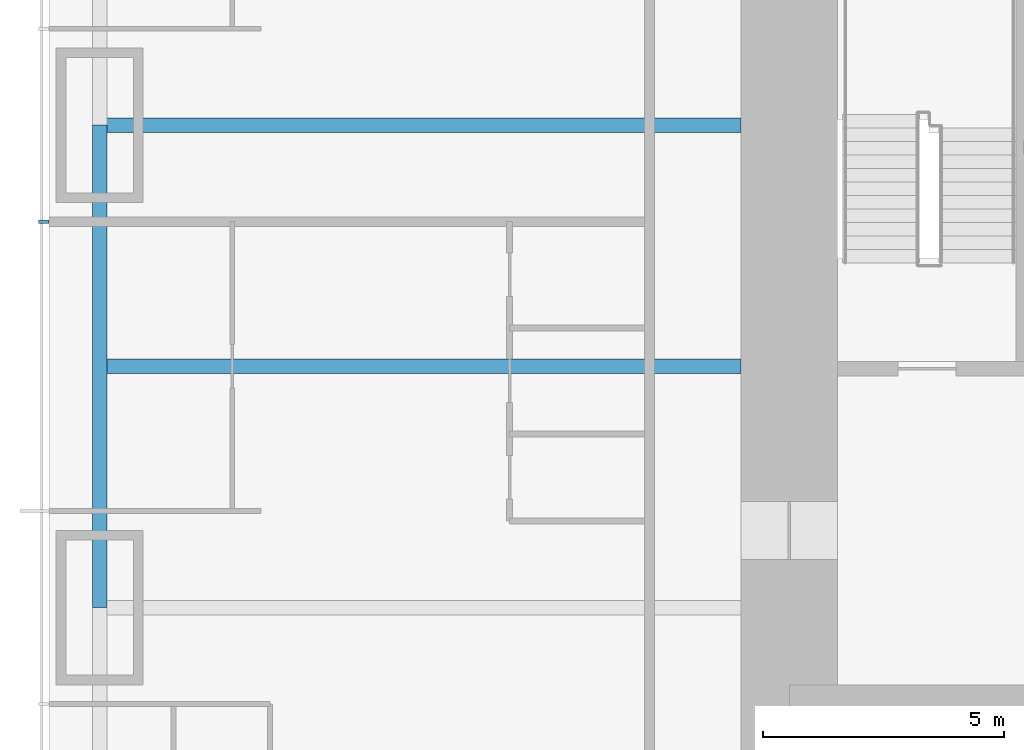
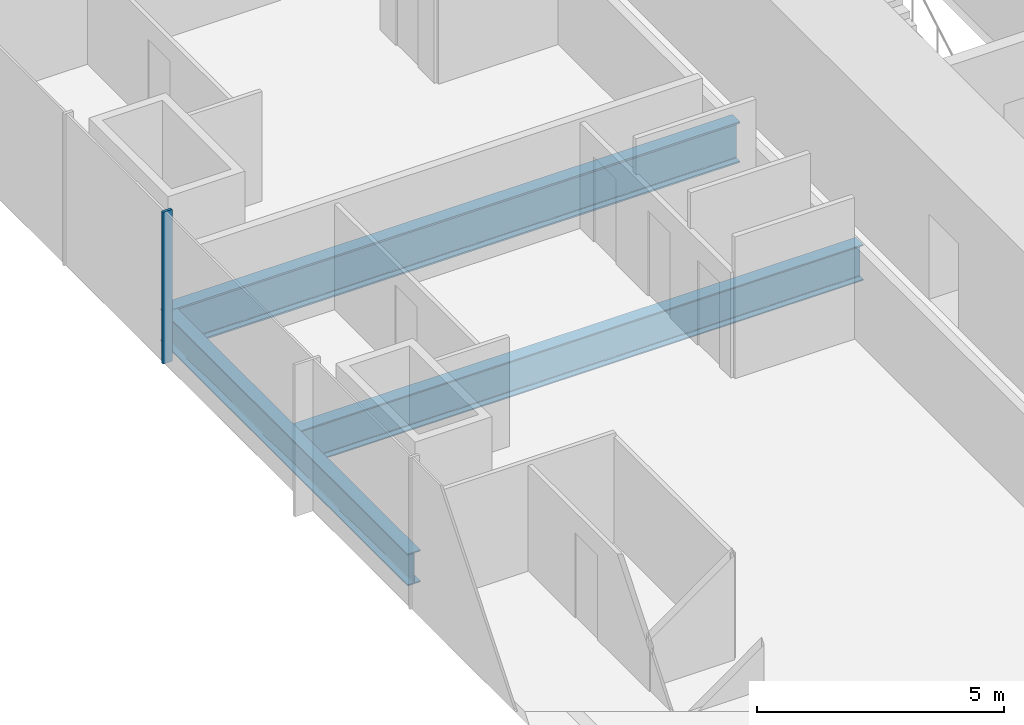
# One storey, part 3 of 17: 3 beams, 1 member, 1 element without a shape of its own.
"""IFC4 building model written with IfcOpenShell, lengths in metres."""

import ifcopenshell
import ifcopenshell.guid

model = None  # the IFC model being written
_history = None  # IfcOwnerHistory: only IFC2X3 demands one
_inside = {}  # id of a spatial element -> (the spatial element, [elements in it])
_under = {}  # id of a project, library or spatial element -> (it, [spatial elements below it])
_declared = {}  # id of a project -> (the project, [libraries it declares])
_typed = {}  # id of a type object -> (the type object, [elements of that type])
_made_of = {}  # id of a material, layer set ... -> (it, [elements and type objects made of it])


def new_model(schema):
    """Start an empty IFC model of exactly this schema.

    Asked for "IFC4X3", IfcOpenShell would pick the latest addendum, in which some entities
    have other attributes; the version numbers below select the first issue.
    IFC2X3 requires an IfcOwnerHistory on every rooted entity: one is made here for all.
    """
    global model, _history
    if schema == "IFC4X3":
        model = ifcopenshell.file(schema_version=(4, 3, 0, 0))
    else:
        model = ifcopenshell.file(schema=schema)
    _inside.clear()
    _under.clear()
    _declared.clear()
    _typed.clear()
    _made_of.clear()
    _history = None
    if model.schema == "IFC2X3":
        org = make("IfcOrganization", Name="unknown")
        user = make(
            "IfcPersonAndOrganization",
            ThePerson=make("IfcPerson", FamilyName="unknown"),
            TheOrganization=org,
        )
        app = make(
            "IfcApplication",
            ApplicationDeveloper=org,
            Version="unknown",
            ApplicationFullName="unknown",
            ApplicationIdentifier="unknown",
        )
        _history = make(
            "IfcOwnerHistory",
            OwningUser=user,
            OwningApplication=app,
            ChangeAction="ADDED",
            CreationDate=0,
        )
    return model


def make(cls, **values):
    """One entity of the class cls with the attributes given. An attribute that is None is left unset."""
    return model.create_entity(
        cls, **{name: value for name, value in values.items() if value is not None}
    )


def rooted(cls, **values):
    """An entity with a GlobalId (a new one), such as an element, a storey or a relation."""
    return make(cls, GlobalId=ifcopenshell.guid.new(), OwnerHistory=_history, **values)


def si_unit(unit_type, name, prefix=None):
    """IfcSIUnit, for example si_unit("LENGTHUNIT", "METRE", prefix="MILLI")."""
    return make("IfcSIUnit", UnitType=unit_type, Prefix=prefix, Name=name)


def assignment(units):
    """IfcUnitAssignment: the units of a project."""
    return None if units is None else make("IfcUnitAssignment", Units=units)


def point(xyz):
    """IfcCartesianPoint."""
    return None if xyz is None else make("IfcCartesianPoint", Coordinates=xyz)


def direction(xyz):
    """IfcDirection."""
    return None if xyz is None else make("IfcDirection", DirectionRatios=xyz)


def frame(location, z_axis=None, x_axis=None):
    """IfcAxis2Placement3D, a coordinate frame: its origin and axes. An axis left out is left unset."""
    return make(
        "IfcAxis2Placement3D",
        Location=point(location),
        Axis=direction(z_axis),
        RefDirection=direction(x_axis),
    )


def frame_2d(location, x_axis=None):
    """IfcAxis2Placement2D, a coordinate frame in the plane: its origin and x axis."""
    return make(
        "IfcAxis2Placement2D", Location=point(location), RefDirection=direction(x_axis)
    )


def origin():
    """The frame at (0, 0, 0) with its axes left unset."""
    return frame((0.0, 0.0, 0.0))


def origin_2d():
    """The frame at (0, 0) in the plane with its x axis left unset."""
    return frame_2d((0.0, 0.0))


def place(relative_to, where):
    """IfcLocalPlacement: puts the frame where relative to a parent placement (None: the world)."""
    return make(
        "IfcLocalPlacement", PlacementRelTo=relative_to, RelativePlacement=where
    )


def context(
    kind, dimensions, precision=None, world=None, true_north=None, identifier=None
):
    """IfcGeometricRepresentationContext, for example the 3D "Model" context."""
    return make(
        "IfcGeometricRepresentationContext",
        ContextIdentifier=identifier,
        ContextType=kind,
        CoordinateSpaceDimension=dimensions,
        Precision=precision,
        WorldCoordinateSystem=world,
        TrueNorth=true_north,
    )


def subcontext(parent, identifier, kind, view, scale=None):
    """IfcGeometricRepresentationSubContext, for example "Body" below "Model"."""
    return make(
        "IfcGeometricRepresentationSubContext",
        ContextIdentifier=identifier,
        ContextType=kind,
        ParentContext=parent,
        TargetScale=scale,
        TargetView=view,
    )


def project(units=None, contexts=None):
    """IfcProject with its units and contexts."""
    return rooted(
        "IfcProject",
        Name="project",
        RepresentationContexts=contexts,
        UnitsInContext=assignment(units),
    )


def spatial(cls, under=None, at=None, **own):
    """A site, building, storey or space (cls), placed at a placement, below another one or the project."""
    s = rooted(cls, ObjectPlacement=at, **own)
    if under is not None:
        _under.setdefault(under.id(), (under, []))[1].append(s)
    return s


def profile(cls, at=None, kind="AREA", **sizes):
    """A parametric profile (cls). Its sizes go by their IFC names, for example OverallWidth=200.0."""
    return make(cls, ProfileType=kind, Position=at, **sizes)


def rectangle(**sizes):
    """IfcRectangleProfileDef."""
    return profile("IfcRectangleProfileDef", **sizes)


def i_section(**sizes):
    """IfcIShapeProfileDef."""
    return profile("IfcIShapeProfileDef", **sizes)


def extrude(swept, where, along, depth):
    """IfcExtrudedAreaSolid: the profile swept, set in the frame where, extruded along a direction by depth."""
    return make(
        "IfcExtrudedAreaSolid",
        SweptArea=swept,
        Position=where,
        ExtrudedDirection=direction(along),
        Depth=depth,
    )


def shape(context_of_items, identifier, shape_type, items):
    """IfcShapeRepresentation: the items that make up one representation, for example the "Body"."""
    return make(
        "IfcShapeRepresentation",
        ContextOfItems=context_of_items,
        RepresentationIdentifier=identifier,
        RepresentationType=shape_type,
        Items=items,
    )


def material(Name=None, Category=None):
    """IfcMaterial."""
    return make("IfcMaterial", Name=Name, Category=Category)


def material_profile(
    of_material, cross_section, Name=None, Category=None, Priority=None
):
    """IfcMaterialProfile: a cross section and its material."""
    return make(
        "IfcMaterialProfile",
        Name=Name,
        Material=of_material,
        Profile=cross_section,
        Priority=Priority,
        Category=Category,
    )


def profile_set(profiles, Name=None, composite=None):
    """IfcMaterialProfileSet."""
    return make(
        "IfcMaterialProfileSet",
        Name=Name,
        MaterialProfiles=profiles,
        CompositeProfile=composite,
    )


def made_of(thing, what):
    """Note that an element or type object is made of a material, layer set ...; save() writes the relation."""
    if what is not None:
        _made_of.setdefault(what.id(), (what, []))[1].append(thing)
    return thing


def type_object(cls, material=None, **own):
    """A type object (cls), such as IfcWallType, which elements share."""
    return made_of(rooted(cls, **own), material)


def element(
    cls,
    number,
    at=None,
    inside=None,
    cuts=None,
    type_object=None,
    material=None,
    context=None,
    identifier="Body",
    shape_type=None,
    held_by="IfcProductDefinitionShape",
    body=None,
    shapes=None,
    **own,
):
    """One element of the class cls, such as IfcWall. Its Tag is "e" and its number.

    at: its placement. inside: the storey or other place that contains it. cuts: it is an
    opening in that element (IfcRelVoidsElement). A single representation is given by context,
    identifier, shape_type and body (its items); several are given by shapes. held_by: the class
    of the entity that holds the representations. save() writes the other relations.
    """
    e = rooted(cls, Tag="e%d" % number, ObjectPlacement=at, **own)
    if body is not None:
        shapes = [shape(context, identifier, shape_type, body)]
    if shapes is not None:
        e.Representation = make(held_by, Representations=shapes)
    if inside is not None:
        _inside.setdefault(inside.id(), (inside, []))[1].append(e)
    if cuts is not None:
        rooted(
            "IfcRelVoidsElement", RelatingBuildingElement=cuts, RelatedOpeningElement=e
        )
    if type_object is not None:
        _typed.setdefault(type_object.id(), (type_object, []))[1].append(e)
    return made_of(e, material)


def aggregate(whole, parts):
    """IfcRelAggregates: a whole, such as a stair, and the parts it consists of."""
    return rooted("IfcRelAggregates", RelatingObject=whole, RelatedObjects=parts)


def save(model, path):
    """Write the relations noted so far, then the file.

    IfcRelAggregates (storeys below a building ...), IfcRelContainedInSpatialStructure (elements
    in a storey), IfcRelDefinesByType, IfcRelAssociatesMaterial and IfcRelDeclares: one each for
    every whole, place, type object, material and project.
    """
    for whole, parts in _under.values():
        aggregate(whole, parts)
    for where, things in _inside.values():
        rooted(
            "IfcRelContainedInSpatialStructure",
            RelatedElements=things,
            RelatingStructure=where,
        )
    for kind, things in _typed.values():
        rooted("IfcRelDefinesByType", RelatedObjects=things, RelatingType=kind)
    for what, things in _made_of.values():
        rooted("IfcRelAssociatesMaterial", RelatedObjects=things, RelatingMaterial=what)
    for by, libraries in _declared.values():
        rooted("IfcRelDeclares", RelatingContext=by, RelatedDefinitions=libraries)
    model.write(path)


model = new_model("IFC4")

# Units and contexts
model_context = context("Model", 3, precision=1e-05, world=origin(), true_north=direction((0.0, 1.0)))
body_context = subcontext(model_context, "Body", "Model", "MODEL_VIEW")
ifc_project = project(units=[si_unit("LENGTHUNIT", "METRE"), si_unit("AREAUNIT", "SQUARE_METRE"), si_unit("VOLUMEUNIT", "CUBIC_METRE"), si_unit("PLANEANGLEUNIT", "RADIAN"), si_unit("MASSUNIT", "GRAM", prefix="KILO")], contexts=[model_context])

# Site, building, storey
site_placement = place(None, origin())
site = spatial("IfcSite", under=ifc_project, at=site_placement, CompositionType="ELEMENT")
building_placement = place(site_placement, origin())
building = spatial("IfcBuilding", under=site, at=building_placement, Name="Khuree Lantern Residences", CompositionType="ELEMENT")
storey_placement = place(building_placement, frame((0.0, 0.0, 88.5)))
storey = spatial("IfcBuildingStorey", under=building, at=storey_placement, Name="L22", CompositionType="ELEMENT", Elevation=88.5)

# Beams
ifc_material_1 = material(Name="Steel S355", Category="steel")
ifc_material_profile_1 = material_profile(ifc_material_1, i_section(OverallWidth=0.300048828125, OverallDepth=0.889892578125, WebThickness=0.01611328125, FlangeThickness=0.030029296875, FilletRadius=0.030029296875, at=origin_2d()), Name="HE 900 A")
ifc_profile_set_1 = profile_set([ifc_material_profile_1], Name="Steel S355")
beam_type_1 = type_object("IfcBeamType", Name="B-15 SECONDARY BEAM HE 900 A", PredefinedType="BEAM", material=ifc_profile_set_1)
beam_1_placement = place(storey_placement, frame((-29.800048828125, -5.0, -0.695068359375), z_axis=(1.0, 0.0, 0.0), x_axis=(0.0, 1.0, 0.0)))
element("IfcBeam", 1, at=beam_1_placement, inside=storey, type_object=beam_type_1, Name="Secondary beam W3", PredefinedType="BEAM", context=body_context, shape_type="SweptSolid", body=[
    extrude(i_section(OverallWidth=0.300048828125, OverallDepth=0.889892578125, WebThickness=0.01611328125, FlangeThickness=0.030029296875, FilletRadius=0.030029296875, at=origin_2d()), origin(), (0.0, 0.0, 1.0), 13.300048828125),
])
ifc_material_profile_2 = material_profile(ifc_material_1, i_section(OverallWidth=0.300048828125, OverallDepth=0.7900390625, WebThickness=0.014892578125, FlangeThickness=0.028076171875, FilletRadius=0.030029296875, at=origin_2d()), Name="HE 800 A")
ifc_profile_set_2 = profile_set([ifc_material_profile_2], Name="Steel S355")
beam_type_2 = type_object("IfcBeamType", Name="E-15 SPANDREL BEAM HE 800 A", PredefinedType="SPANDREL", material=ifc_profile_set_2)
beam_2_placement = place(storey_placement, frame((-29.800048828125, -10.0, -0.64501953125), z_axis=(0.0, 1.0, 0.0), x_axis=(-1.0, 0.0, 0.0)))
element("IfcBeam", 2, at=beam_2_placement, inside=storey, type_object=beam_type_2, Name="Spandrel beam W3", PredefinedType="SPANDREL", context=body_context, shape_type="SweptSolid", body=[
    extrude(i_section(OverallWidth=0.300048828125, OverallDepth=0.7900390625, WebThickness=0.014892578125, FlangeThickness=0.028076171875, FilletRadius=0.030029296875, at=origin_2d()), origin(), (0.0, 0.0, 1.0), 10.0),
])
ifc_material_profile_3 = material_profile(ifc_material_1, i_section(OverallWidth=0.302001953125, OverallDepth=1.008056640625, WebThickness=0.02099609375, FlangeThickness=0.0400390625, FilletRadius=0.030029296875, at=origin_2d()), Name="HE 1000 M")
ifc_profile_set_3 = profile_set([ifc_material_profile_3], Name="Steel S355")
beam_type_3 = type_object("IfcBeamType", Name="G-15 GIRDER HE 1000 M", PredefinedType="BEAM", material=ifc_profile_set_3)
beam_3_placement = place(storey_placement, frame((-29.800048828125, 0.0, -0.75390625), z_axis=(1.0, 0.0, 0.0), x_axis=(0.0, 1.0, 0.0)))
element("IfcBeam", 3, at=beam_3_placement, inside=storey, type_object=beam_type_3, Name="Girder W3", PredefinedType="BEAM", context=body_context, shape_type="SweptSolid", body=[
    extrude(i_section(OverallWidth=0.302001953125, OverallDepth=1.008056640625, WebThickness=0.02099609375, FlangeThickness=0.0400390625, FilletRadius=0.030029296875, at=origin_2d()), origin(), (0.0, 0.0, 1.0), 13.300048828125),
])

# Curtain wall, member
ifc_material_2 = material(Name="Bronze anodised aluminium", Category="aluminium")
curtain_wall_type = type_object("IfcCurtainWallType", Name="CW-T1 TOWER FACE CURTAIN WALL", PredefinedType="USERDEFINED", material=ifc_material_2)
curtain_wall_placement = place(storey_placement, origin())
curtain_wall = element("IfcCurtainWall", 4, at=curtain_wall_placement, inside=storey, type_object=curtain_wall_type, Name="L22 WEST FACE CURTAIN WALL", ObjectType="Stick-built curtain wall", PredefinedType="USERDEFINED")
ifc_material_profile_4 = material_profile(ifc_material_2, rectangle(XDim=0.06494140625, YDim=0.219970703125, at=origin_2d()), Name="M1 65X220")
ifc_profile_set_4 = profile_set([ifc_material_profile_4], Name="Bronze anodised aluminium")
member_type = type_object("IfcMemberType", Name="M1 BRONZE MULLION TOWER 65X220", PredefinedType="MULLION", material=ifc_profile_set_4)
member_placement = place(storey_placement, frame((-30.9599609375, -2.0, 0.0), z_axis=(0.0, 0.0, 1.0), x_axis=(0.0, -1.0, 0.0)))
member = element("IfcMember", 5, at=member_placement, type_object=member_type, Name="L22 WEST FACE MULLION 38", PredefinedType="MULLION", context=body_context, shape_type="SweptSolid", body=[
    extrude(rectangle(XDim=0.06494140625, YDim=0.219970703125, at=origin_2d()), origin(), (0.0, 0.0, 1.0), 3.75),
])
aggregate(curtain_wall, [member])

save(model, "model.ifc")
